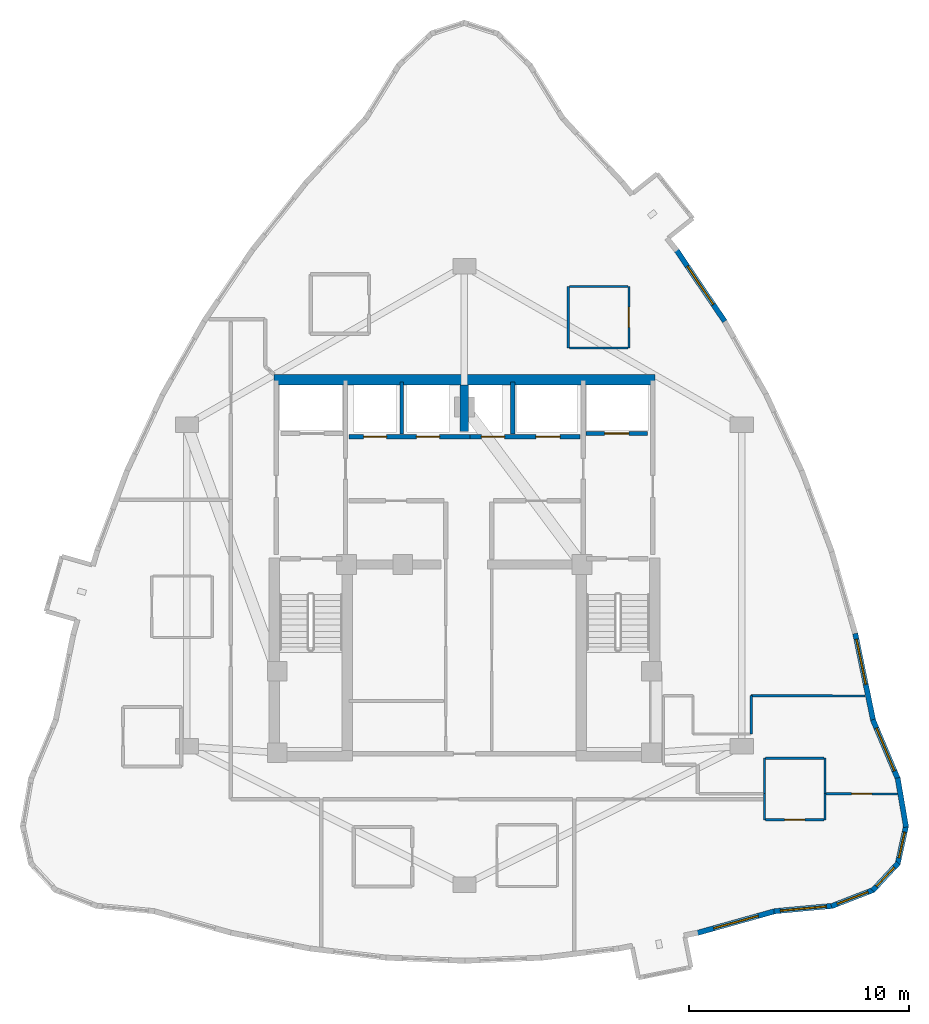
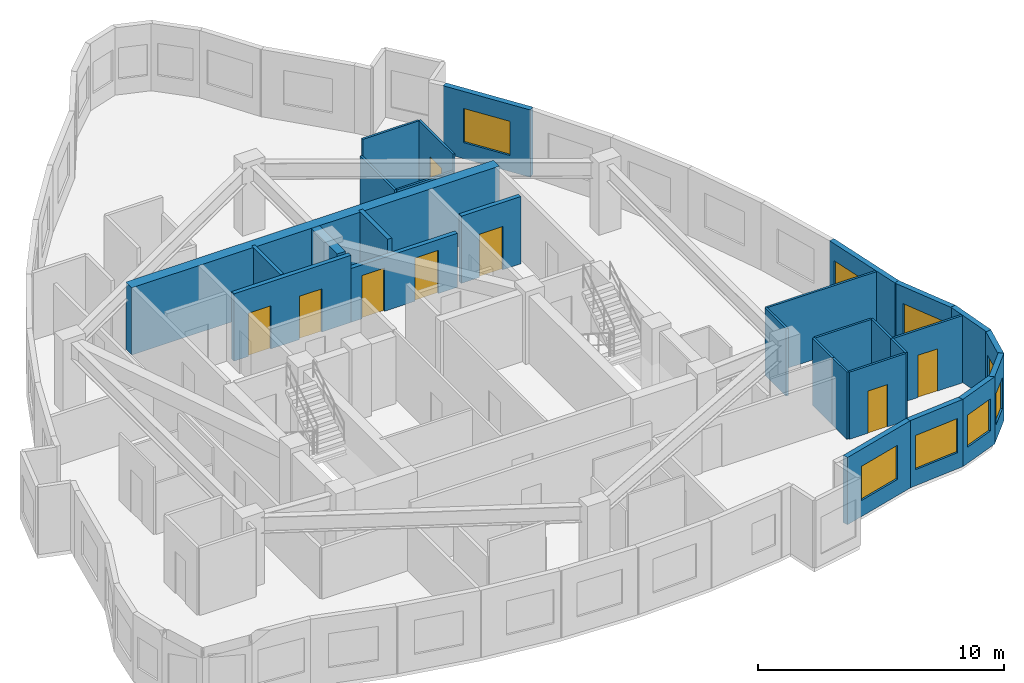
# One storey, part 6 of 8: 29 walls, 8 doors, 8 windows, 16 openings.
"""IFC4 building model written with IfcOpenShell, lengths in metres."""

from ifc_helpers import new_model, si_unit, direction, frame, frame_2d, origin, place, context, subcontext, project, spatial, rectangle, extrude, material, layer, layer_set, type_object, element, fill, save


model = new_model("IFC4")

# Units and contexts
model_context = context("Model", 3, precision=1e-05, world=origin(), true_north=direction((0.0, 1.0)))
body_context = subcontext(model_context, "Body", "Model", "MODEL_VIEW")
ifc_project = project(units=[si_unit("LENGTHUNIT", "METRE"), si_unit("AREAUNIT", "SQUARE_METRE"), si_unit("VOLUMEUNIT", "CUBIC_METRE"), si_unit("PLANEANGLEUNIT", "RADIAN"), si_unit("MASSUNIT", "GRAM", prefix="KILO")], contexts=[model_context])

# Site, building, storey
site_placement = place(None, origin())
site = spatial("IfcSite", under=ifc_project, at=site_placement, CompositionType="ELEMENT")
building_placement = place(site_placement, origin())
building = spatial("IfcBuilding", under=site, at=building_placement, Name="Miruveldt Soraemaru", CompositionType="ELEMENT")
storey_placement = place(building_placement, frame((0.0, 0.0, 208.800048828125)))
storey = spatial("IfcBuildingStorey", under=building, at=storey_placement, Name="L57", CompositionType="ELEMENT", Elevation=208.800048828125)

# Walls
ifc_material_1 = material(Name="Concrete C70/85 (70 MPa)", Category="concrete")
ifc_layer_1 = layer(ifc_material_1, 0.5, Name="Concrete C70/85 (70 MPa)", Category="concrete")
ifc_layer_set_1 = layer_set([ifc_layer_1], Name="Concrete C70/85 (70 MPa)")
wall_type_1 = type_object("IfcWallType", Name="WALL-BW-500", PredefinedType="SHEAR", material=ifc_layer_set_1)
wall_1_placement = place(storey_placement, frame((44.0, 50.10009765625, 0.0), z_axis=(0.0, 0.0, 1.0), x_axis=(0.0, 1.0, 0.0)))
element("IfcWall", 1, at=wall_1_placement, inside=storey, type_object=wall_type_1, Name="L57 Core Buttress Shear Wall BN", PredefinedType="SHEAR", context=body_context, shape_type="SweptSolid", body=[
    extrude(rectangle(XDim=2.099853515625, YDim=0.39990234375, at=frame_2d((1.0498046875, 0.0))), origin(), (0.0, 0.0, 1.0), 3.344970703125),
])
ifc_material_2 = material(Name="Concrete C60/75 (60 MPa)", Category="concrete")
ifc_layer_2 = layer(ifc_material_2, 0.47998046875, Name="Concrete C60/75 (60 MPa)", Category="concrete")
ifc_layer_set_2 = layer_set([ifc_layer_2], Name="Concrete C60/75 (60 MPa)")
wall_type_2 = type_object("IfcWallType", Name="WALL-CW-480", PredefinedType="SHEAR", material=ifc_layer_set_2)
wall_2_placement = place(storey_placement, frame((35.35009765625, 52.449951171875, 0.0), z_axis=(0.0, 0.0, 1.0), x_axis=(1.0, 0.0, 0.0)))
element("IfcWall", 2, at=wall_2_placement, inside=storey, type_object=wall_type_2, Name="L57 Central Core Shear Wall N", PredefinedType="SHEAR", context=body_context, shape_type="SweptSolid", body=[
    extrude(rectangle(XDim=17.2998046875, YDim=0.47998046875, at=frame_2d((8.64990234375, 0.0))), origin(), (0.0, 0.0, 1.0), 3.344970703125),
])

# Wall, opening, window
ifc_material_3 = material(Name="Precast concrete C45/55 (45 MPa)", Category="concrete")
ifc_layer_3 = layer(ifc_material_3, 0.239990234375, Name="Precast concrete C45/55 (45 MPa)", Category="concrete")
ifc_layer_set_3 = layer_set([ifc_layer_3], Name="Precast concrete C45/55 (45 MPa)")
wall_type_3 = type_object("IfcWallType", Name="WALL-EXT-PC240", PredefinedType="SOLIDWALL", material=ifc_layer_set_3)
wall_3_placement = place(storey_placement, frame((54.5400390625, 27.3076171875, 0.0), z_axis=(0.0, 0.0, 1.0), x_axis=(0.962953142371, 0.269668770158, 0.0)))
wall_3 = element("IfcWall", 3, at=wall_3_placement, inside=storey, type_object=wall_type_3, Name="L57 Precast Concrete Facade Wall 28", PredefinedType="SOLIDWALL", context=body_context, shape_type="SweptSolid", body=[
    extrude(rectangle(XDim=3.72998046875, YDim=0.239990234375, at=frame_2d((1.864990234375, 0.0))), origin(), (0.0, 0.0, 1.0), 3.344970703125),
])
opening_1_placement = place(wall_3_placement, frame((0.81494140625, 0.0, 0.800048828125)))
opening_1 = element("IfcOpeningElement", 4, at=opening_1_placement, cuts=wall_3, Name="Opening WN-1", PredefinedType="OPENING", context=body_context, shape_type="SweptSolid", body=[
    extrude(rectangle(XDim=2.10009765625, YDim=1.699951171875, at=frame_2d((1.050048828125, 0.85009765625))), frame((0.0, 0.1298828125, 0.0), z_axis=(0.0, -1.0, 0.0), x_axis=(1.0, 0.0, 0.0)), (0.0, 0.0, 1.0), 0.260009765625),
])
ifc_material_4 = material(Name="Triple low-e insulated glazing", Category="glass")
window_type_1 = type_object("IfcWindowType", Name="WIN-PUNCH-2100x1700", PartitioningType="SINGLE_PANEL", PredefinedType="WINDOW", material=ifc_material_4)
window_1_placement = place(opening_1_placement, origin())
window_1 = element("IfcWindow", 5, at=window_1_placement, inside=storey, type_object=window_type_1, Name="L57 Punched Triple-Glazed Window 28.1", OverallHeight=1.699951171875, OverallWidth=2.10009765625, PartitioningType="SINGLE_PANEL", PredefinedType="WINDOW", context=body_context, shape_type="SweptSolid", body=[
    extrude(rectangle(XDim=2.10009765625, YDim=1.699951171875, at=frame_2d((1.050048828125, 0.85009765625))), frame((0.0, 0.030029296875, 0.0), z_axis=(0.0, -1.0, 0.0), x_axis=(1.0, 0.0, 0.0)), (0.0, 0.0, 1.0), 0.06005859375),
])
fill(opening_1, window_1)

wall_4_placement = place(storey_placement, frame((58.063232421875, 28.30078125, 0.0), z_axis=(0.0, 0.0, 1.0), x_axis=(0.995758874352, 0.092001435582, 0.0)))
wall_4 = element("IfcWall", 6, at=wall_4_placement, inside=storey, type_object=wall_type_3, Name="L57 Precast Concrete Facade Wall 29", PredefinedType="SOLIDWALL", context=body_context, shape_type="SweptSolid", body=[
    extrude(rectangle(XDim=2.688232421875, YDim=0.239990234375, at=frame_2d((1.34423828125, 0.0))), origin(), (0.0, 0.0, 1.0), 3.344970703125),
])
opening_2_placement = place(wall_4_placement, frame((0.2939453125, 0.0, 0.800048828125)))
opening_2 = element("IfcOpeningElement", 7, at=opening_2_placement, cuts=wall_4, Name="Opening WN-1", PredefinedType="OPENING", context=body_context, shape_type="SweptSolid", body=[
    extrude(rectangle(XDim=2.10009765625, YDim=1.699951171875, at=frame_2d((1.050048828125, 0.85009765625))), frame((0.0, 0.1298828125, 0.0), z_axis=(0.0, -1.0, 0.0), x_axis=(1.0, 0.0, 0.0)), (0.0, 0.0, 1.0), 0.260009765625),
])
window_2_placement = place(opening_2_placement, origin())
window_2 = element("IfcWindow", 8, at=window_2_placement, inside=storey, type_object=window_type_1, Name="L57 Punched Triple-Glazed Window 29.1", OverallHeight=1.699951171875, OverallWidth=2.10009765625, PartitioningType="SINGLE_PANEL", PredefinedType="WINDOW", context=body_context, shape_type="SweptSolid", body=[
    extrude(rectangle(XDim=2.10009765625, YDim=1.699951171875, at=frame_2d((1.050048828125, 0.85009765625))), frame((0.0, 0.030029296875, 0.0), z_axis=(0.0, -1.0, 0.0), x_axis=(1.0, 0.0, 0.0)), (0.0, 0.0, 1.0), 0.06005859375),
])
fill(opening_2, window_2)

wall_5_placement = place(storey_placement, frame((60.672607421875, 28.531982421875, 0.0), z_axis=(0.0, 0.0, 1.0), x_axis=(0.932239398697, 0.361842097493, 0.0)))
wall_5 = element("IfcWall", 9, at=wall_5_placement, inside=storey, type_object=wall_type_3, Name="L57 Precast Concrete Facade Wall 30", PredefinedType="SOLIDWALL", context=body_context, shape_type="SweptSolid", body=[
    extrude(rectangle(XDim=2.0673828125, YDim=0.239990234375, at=frame_2d((1.03369140625, 0.0))), origin(), (0.0, 0.0, 1.0), 3.344970703125),
])
opening_3_placement = place(wall_5_placement, frame((0.283935546875, 0.0, 0.800048828125)))
opening_3 = element("IfcOpeningElement", 10, at=opening_3_placement, cuts=wall_5, Name="Opening WN-3", PredefinedType="OPENING", context=body_context, shape_type="SweptSolid", body=[
    extrude(rectangle(XDim=1.5, YDim=1.60009765625, at=frame_2d((0.75, 0.800048828125))), frame((0.0, 0.1298828125, 0.0), z_axis=(0.0, -1.0, 0.0), x_axis=(1.0, 0.0, 0.0)), (0.0, 0.0, 1.0), 0.260009765625),
])
window_type_2 = type_object("IfcWindowType", Name="WIN-PUNCH-1500x1600", PartitioningType="SINGLE_PANEL", PredefinedType="WINDOW", material=ifc_material_4)
window_3_placement = place(opening_3_placement, origin())
window_3 = element("IfcWindow", 11, at=window_3_placement, inside=storey, type_object=window_type_2, Name="L57 Punched Triple-Glazed Window 30.1", OverallHeight=1.60009765625, OverallWidth=1.5, PartitioningType="SINGLE_PANEL", PredefinedType="WINDOW", context=body_context, shape_type="SweptSolid", body=[
    extrude(rectangle(XDim=1.5, YDim=1.60009765625, at=frame_2d((0.75, 0.800048828125))), frame((0.0, 0.030029296875, 0.0), z_axis=(0.0, -1.0, 0.0), x_axis=(1.0, 0.0, 0.0)), (0.0, 0.0, 1.0), 0.06005859375),
])
fill(opening_3, window_3)

wall_6_placement = place(storey_placement, frame((62.54345703125, 29.24169921875, 0.0), z_axis=(0.0, 0.0, 1.0), x_axis=(0.680166703881, 0.733057470416, 0.0)))
wall_6 = element("IfcWall", 12, at=wall_6_placement, inside=storey, type_object=wall_type_3, Name="L57 Precast Concrete Facade Wall 31", PredefinedType="SOLIDWALL", context=body_context, shape_type="SweptSolid", body=[
    extrude(rectangle(XDim=1.71240234375, YDim=0.239990234375, at=frame_2d((0.856201171875, 0.0))), origin(), (0.0, 0.0, 1.0), 3.344970703125),
])
opening_4_placement = place(wall_6_placement, frame((0.256103515625, 0.0, 0.780029296875)))
opening_4 = element("IfcOpeningElement", 13, at=opening_4_placement, cuts=wall_6, Name="Opening WN-4", PredefinedType="OPENING", context=body_context, shape_type="SweptSolid", body=[
    extrude(rectangle(XDim=1.199951171875, YDim=1.550048828125, at=frame_2d((0.60009765625, 0.77490234375))), frame((0.0, 0.1298828125, 0.0), z_axis=(0.0, -1.0, 0.0), x_axis=(1.0, 0.0, 0.0)), (0.0, 0.0, 1.0), 0.260009765625),
])
window_type_3 = type_object("IfcWindowType", Name="WIN-PUNCH-1200x1550", PartitioningType="SINGLE_PANEL", PredefinedType="WINDOW", material=ifc_material_4)
window_4_placement = place(opening_4_placement, origin())
window_4 = element("IfcWindow", 14, at=window_4_placement, inside=storey, type_object=window_type_3, Name="L57 Punched Triple-Glazed Window 31.1", OverallHeight=1.550048828125, OverallWidth=1.199951171875, PartitioningType="SINGLE_PANEL", PredefinedType="WINDOW", context=body_context, shape_type="SweptSolid", body=[
    extrude(rectangle(XDim=1.199951171875, YDim=1.550048828125, at=frame_2d((0.60009765625, 0.77490234375))), frame((0.0, 0.030029296875, 0.0), z_axis=(0.0, -1.0, 0.0), x_axis=(1.0, 0.0, 0.0)), (0.0, 0.0, 1.0), 0.06005859375),
])
fill(opening_4, window_4)

wall_7_placement = place(storey_placement, frame((63.677001953125, 30.437255859375, 0.0), z_axis=(0.0, 0.0, 1.0), x_axis=(0.21567837117, 0.976464459266, 0.0)))
wall_7 = element("IfcWall", 15, at=wall_7_placement, inside=storey, type_object=wall_type_3, Name="L57 Precast Concrete Facade Wall 32", PredefinedType="SOLIDWALL", context=body_context, shape_type="SweptSolid", body=[
    extrude(rectangle(XDim=1.79638671875, YDim=0.239990234375, at=frame_2d((0.898193359375, 0.0))), origin(), (0.0, 0.0, 1.0), 3.344970703125),
])
opening_5_placement = place(wall_7_placement, frame((0.298095703125, 0.0, 0.780029296875)))
opening_5 = element("IfcOpeningElement", 16, at=opening_5_placement, cuts=wall_7, Name="Opening WN-4", PredefinedType="OPENING", context=body_context, shape_type="SweptSolid", body=[
    extrude(rectangle(XDim=1.199951171875, YDim=1.550048828125, at=frame_2d((0.60009765625, 0.77490234375))), frame((0.0, 0.1298828125, 0.0), z_axis=(0.0, -1.0, 0.0), x_axis=(1.0, 0.0, 0.0)), (0.0, 0.0, 1.0), 0.260009765625),
])
window_5_placement = place(opening_5_placement, origin())
window_5 = element("IfcWindow", 17, at=window_5_placement, inside=storey, type_object=window_type_3, Name="L57 Punched Triple-Glazed Window 32.1", OverallHeight=1.550048828125, OverallWidth=1.199951171875, PartitioningType="SINGLE_PANEL", PredefinedType="WINDOW", context=body_context, shape_type="SweptSolid", body=[
    extrude(rectangle(XDim=1.199951171875, YDim=1.550048828125, at=frame_2d((0.60009765625, 0.77490234375))), frame((0.0, 0.030029296875, 0.0), z_axis=(0.0, -1.0, 0.0), x_axis=(1.0, 0.0, 0.0)), (0.0, 0.0, 1.0), 0.06005859375),
])
fill(opening_5, window_5)

# Wall
wall_8_placement = place(storey_placement, frame((64.062744140625, 32.12255859375, 0.0), z_axis=(0.0, 0.0, 1.0), x_axis=(-0.16924751517, 0.985573578486, 0.0)))
element("IfcWall", 18, at=wall_8_placement, inside=storey, type_object=wall_type_3, Name="L57 Precast Concrete Facade Wall 33", PredefinedType="SOLIDWALL", context=body_context, shape_type="SweptSolid", body=[
    extrude(rectangle(XDim=2.26904296875, YDim=0.239990234375, at=frame_2d((1.134521484375, 0.0))), origin(), (0.0, 0.0, 1.0), 3.344970703125),
])

# Wall, opening, window
wall_9_placement = place(storey_placement, frame((63.697998046875, 34.292236328125, 0.0), z_axis=(0.0, 0.0, 1.0), x_axis=(-0.388579536892, 0.921415185196, 0.0)))
wall_9 = element("IfcWall", 19, at=wall_9_placement, inside=storey, type_object=wall_type_3, Name="L57 Precast Concrete Facade Wall 34", PredefinedType="SOLIDWALL", context=body_context, shape_type="SweptSolid", body=[
    extrude(rectangle(XDim=2.94482421875, YDim=0.239990234375, at=frame_2d((1.472412109375, 0.0))), origin(), (0.0, 0.0, 1.0), 3.344970703125),
])
opening_6_placement = place(wall_9_placement, frame((0.423095703125, 0.0, 0.800048828125)))
opening_6 = element("IfcOpeningElement", 20, at=opening_6_placement, cuts=wall_9, Name="Opening WN-1", PredefinedType="OPENING", context=body_context, shape_type="SweptSolid", body=[
    extrude(rectangle(XDim=2.10009765625, YDim=1.699951171875, at=frame_2d((1.050048828125, 0.85009765625))), frame((0.0, 0.1298828125, 0.0), z_axis=(0.0, -1.0, 0.0), x_axis=(1.0, 0.0, 0.0)), (0.0, 0.0, 1.0), 0.260009765625),
])
window_6_placement = place(opening_6_placement, origin())
window_6 = element("IfcWindow", 21, at=window_6_placement, inside=storey, type_object=window_type_1, Name="L57 Punched Triple-Glazed Window 34.1", OverallHeight=1.699951171875, OverallWidth=2.10009765625, PartitioningType="SINGLE_PANEL", PredefinedType="WINDOW", context=body_context, shape_type="SweptSolid", body=[
    extrude(rectangle(XDim=2.10009765625, YDim=1.699951171875, at=frame_2d((1.050048828125, 0.85009765625))), frame((0.0, 0.030029296875, 0.0), z_axis=(0.0, -1.0, 0.0), x_axis=(1.0, 0.0, 0.0)), (0.0, 0.0, 1.0), 0.06005859375),
])
fill(opening_6, window_6)

wall_10_placement = place(storey_placement, frame((62.57421875, 36.939208984375, 0.0), z_axis=(0.0, 0.0, 1.0), x_axis=(-0.201542745203, 0.979479719982, 0.0)))
wall_10 = element("IfcWall", 22, at=wall_10_placement, inside=storey, type_object=wall_type_3, Name="L57 Precast Concrete Facade Wall 35", PredefinedType="SOLIDWALL", context=body_context, shape_type="SweptSolid", body=[
    extrude(rectangle(XDim=4.064208984375, YDim=0.239990234375, at=frame_2d((2.0322265625, 0.0))), origin(), (0.0, 0.0, 1.0), 3.344970703125),
])
opening_7_placement = place(wall_10_placement, frame((1.699951171875, 0.0, 0.800048828125)))
opening_7 = element("IfcOpeningElement", 23, at=opening_7_placement, cuts=wall_10, Name="Opening WN-1", PredefinedType="OPENING", context=body_context, shape_type="SweptSolid", body=[
    extrude(rectangle(XDim=2.10009765625, YDim=1.699951171875, at=frame_2d((1.050048828125, 0.85009765625))), frame((0.0, 0.1298828125, 0.0), z_axis=(0.0, -1.0, 0.0), x_axis=(1.0, 0.0, 0.0)), (0.0, 0.0, 1.0), 0.260009765625),
])
window_7_placement = place(opening_7_placement, origin())
window_7 = element("IfcWindow", 24, at=window_7_placement, inside=storey, type_object=window_type_1, Name="L57 Punched Triple-Glazed Window 35.1", OverallHeight=1.699951171875, OverallWidth=2.10009765625, PartitioningType="SINGLE_PANEL", PredefinedType="WINDOW", context=body_context, shape_type="SweptSolid", body=[
    extrude(rectangle(XDim=2.10009765625, YDim=1.699951171875, at=frame_2d((1.050048828125, 0.85009765625))), frame((0.0, 0.030029296875, 0.0), z_axis=(0.0, -1.0, 0.0), x_axis=(1.0, 0.0, 0.0)), (0.0, 0.0, 1.0), 0.06005859375),
])
fill(opening_7, window_7)

wall_11_placement = place(storey_placement, frame((55.82666015625, 55.094970703125, 0.0), z_axis=(0.0, 0.0, 1.0), x_axis=(-0.560813923728, 0.827941871723, 0.0)))
wall_11 = element("IfcWall", 25, at=wall_11_placement, inside=storey, type_object=wall_type_3, Name="L57 Precast Concrete Facade Wall 40", PredefinedType="SOLIDWALL", context=body_context, shape_type="SweptSolid", body=[
    extrude(rectangle(XDim=3.943603515625, YDim=0.239990234375, at=frame_2d((1.9716796875, 0.0))), origin(), (0.0, 0.0, 1.0), 3.344970703125),
])
opening_8_placement = place(wall_11_placement, frame((0.922119140625, 0.0, 0.800048828125)))
opening_8 = element("IfcOpeningElement", 26, at=opening_8_placement, cuts=wall_11, Name="Opening WN-1", PredefinedType="OPENING", context=body_context, shape_type="SweptSolid", body=[
    extrude(rectangle(XDim=2.10009765625, YDim=1.699951171875, at=frame_2d((1.050048828125, 0.85009765625))), frame((0.0, 0.1298828125, 0.0), z_axis=(0.0, -1.0, 0.0), x_axis=(1.0, 0.0, 0.0)), (0.0, 0.0, 1.0), 0.260009765625),
])
window_8_placement = place(opening_8_placement, origin())
window_8 = element("IfcWindow", 27, at=window_8_placement, inside=storey, type_object=window_type_1, Name="L57 Punched Triple-Glazed Window 40.1", OverallHeight=1.699951171875, OverallWidth=2.10009765625, PartitioningType="SINGLE_PANEL", PredefinedType="WINDOW", context=body_context, shape_type="SweptSolid", body=[
    extrude(rectangle(XDim=2.10009765625, YDim=1.699951171875, at=frame_2d((1.050048828125, 0.85009765625))), frame((0.0, 0.030029296875, 0.0), z_axis=(0.0, -1.0, 0.0), x_axis=(1.0, 0.0, 0.0)), (0.0, 0.0, 1.0), 0.06005859375),
])
fill(opening_8, window_8)

# Wall, opening, door
ifc_material_5 = material(Name="Gypsum plasterboard lining", Category="gypsum")
ifc_layer_4 = layer(ifc_material_5, 0.10009765625, Name="Gypsum plasterboard lining", Category="gypsum")
ifc_layer_set_4 = layer_set([ifc_layer_4], Name="Gypsum plasterboard lining")
wall_type_4 = type_object("IfcWallType", Name="WALL-INT-P100", PredefinedType="PARTITIONING", material=ifc_layer_set_4)
wall_12_placement = place(storey_placement, frame((63.6669921875, 33.631103515625, 0.0), z_axis=(0.0, 0.0, 1.0), x_axis=(-0.999996314036, 0.00271512688, 0.0)))
wall_12 = element("IfcWall", 28, at=wall_12_placement, inside=storey, type_object=wall_type_4, Name="L57 Partition Wall 40", PredefinedType="PARTITIONING", context=body_context, shape_type="SweptSolid", body=[
    extrude(rectangle(XDim=3.237060546875, YDim=0.10009765625, at=frame_2d((1.61865234375, 0.0))), origin(), (0.0, 0.0, 1.0), 3.344970703125),
])
opening_9_placement = place(wall_12_placement, frame((1.158935546875, 0.0, 0.0)))
opening_9 = element("IfcOpeningElement", 29, at=opening_9_placement, cuts=wall_12, Name="Opening D3A", PredefinedType="OPENING", context=body_context, shape_type="SweptSolid", body=[
    extrude(rectangle(XDim=0.919921875, YDim=2.10009765625, at=frame_2d((0.4599609375, 1.050048828125))), frame((0.0, 0.06005859375, 0.0), z_axis=(0.0, -1.0, 0.0), x_axis=(1.0, 0.0, 0.0)), (0.0, 0.0, 1.0), 0.1201171875),
])
ifc_material_6 = material(Name="Anodised aluminium EN AW-6063 T6", Category="aluminium")
door_type_1 = type_object("IfcDoorType", Name="DOOR-INT-920", OperationType="NOTDEFINED", PredefinedType="DOOR", material=ifc_material_6)
door_1_placement = place(opening_9_placement, origin())
door_1 = element("IfcDoor", 30, at=door_1_placement, inside=storey, type_object=door_type_1, Name="L57 Unit 5705 BD1 Door", OperationType="SINGLE_SWING_LEFT", OverallHeight=2.10009765625, OverallWidth=0.919921875, PredefinedType="DOOR", context=body_context, shape_type="SweptSolid", body=[
    extrude(rectangle(XDim=0.919921875, YDim=2.10009765625, at=frame_2d((0.4599609375, 1.050048828125))), frame((0.0, 0.02490234375, 0.0), z_axis=(0.0, -1.0, 0.0), x_axis=(1.0, 0.0, 0.0)), (0.0, 0.0, 1.0), 0.050048828125),
])
fill(opening_9, door_1)

wall_13_placement = place(storey_placement, frame((51.471923828125, 53.8798828125, 0.0), z_axis=(0.0, 0.0, 1.0), x_axis=(0.0, 1.0, 0.0)))
wall_13 = element("IfcWall", 31, at=wall_13_placement, inside=storey, type_object=wall_type_4, Name="L57 Partition Wall 14", PredefinedType="PARTITIONING", context=body_context, shape_type="SweptSolid", body=[
    extrude(rectangle(XDim=2.800048828125, YDim=0.10009765625, at=frame_2d((1.39990234375, 0.0))), origin(), (0.0, 0.0, 1.0), 3.344970703125),
])
opening_10_placement = place(wall_13_placement, frame((0.93994140625, 0.0, 0.0)))
opening_10 = element("IfcOpeningElement", 32, at=opening_10_placement, cuts=wall_13, Name="Opening D3A", PredefinedType="OPENING", context=body_context, shape_type="SweptSolid", body=[
    extrude(rectangle(XDim=0.919921875, YDim=2.10009765625, at=frame_2d((0.4599609375, 1.050048828125))), frame((0.0, 0.06005859375, 0.0), z_axis=(0.0, -1.0, 0.0), x_axis=(1.0, 0.0, 0.0)), (0.0, 0.0, 1.0), 0.1201171875),
])
door_2_placement = place(opening_10_placement, origin())
door_2 = element("IfcDoor", 33, at=door_2_placement, inside=storey, type_object=door_type_1, Name="L57 Unit CL01 KIT Door", OperationType="SINGLE_SWING_RIGHT", OverallHeight=2.10009765625, OverallWidth=0.919921875, PredefinedType="DOOR", context=body_context, shape_type="SweptSolid", body=[
    extrude(rectangle(XDim=0.919921875, YDim=2.10009765625, at=frame_2d((0.4599609375, 1.050048828125))), frame((0.0, 0.02490234375, 0.0), z_axis=(0.0, -1.0, 0.0), x_axis=(1.0, 0.0, 0.0)), (0.0, 0.0, 1.0), 0.050048828125),
])
fill(opening_10, door_2)

wall_14_placement = place(storey_placement, frame((57.679931640625, 32.455078125, 0.0), z_axis=(0.0, 0.0, 1.0), x_axis=(1.0, 0.0, 0.0)))
wall_14 = element("IfcWall", 34, at=wall_14_placement, inside=storey, type_object=wall_type_4, Name="L57 Partition Wall 39", PredefinedType="PARTITIONING", context=body_context, shape_type="SweptSolid", body=[
    extrude(rectangle(XDim=2.650146484375, YDim=0.10009765625, at=frame_2d((1.3251953125, 0.0))), origin(), (0.0, 0.0, 1.0), 3.344970703125),
])
opening_11_placement = place(wall_14_placement, frame((0.864990234375, 0.0, 0.0)))
opening_11 = element("IfcOpeningElement", 35, at=opening_11_placement, cuts=wall_14, Name="Opening D3A", PredefinedType="OPENING", context=body_context, shape_type="SweptSolid", body=[
    extrude(rectangle(XDim=0.919921875, YDim=2.10009765625, at=frame_2d((0.4599609375, 1.050048828125))), frame((0.0, 0.06005859375, 0.0), z_axis=(0.0, -1.0, 0.0), x_axis=(1.0, 0.0, 0.0)), (0.0, 0.0, 1.0), 0.1201171875),
])
door_3_placement = place(opening_11_placement, origin())
door_3 = element("IfcDoor", 36, at=door_3_placement, inside=storey, type_object=door_type_1, Name="L57 Unit 5705 KIT Door", OperationType="SINGLE_SWING_RIGHT", OverallHeight=2.10009765625, OverallWidth=0.919921875, PredefinedType="DOOR", context=body_context, shape_type="SweptSolid", body=[
    extrude(rectangle(XDim=0.919921875, YDim=2.10009765625, at=frame_2d((0.4599609375, 1.050048828125))), frame((0.0, 0.02490234375, 0.0), z_axis=(0.0, -1.0, 0.0), x_axis=(1.0, 0.0, 0.0)), (0.0, 0.0, 1.0), 0.050048828125),
])
fill(opening_11, door_3)

# Walls
wall_15_placement = place(storey_placement, frame((57.030029296875, 38.093994140625, 0.0), z_axis=(0.0, 0.0, 1.0), x_axis=(0.999997742948, -0.002124641097, 0.0)))
element("IfcWall", 37, at=wall_15_placement, inside=storey, type_object=wall_type_4, Name="L57 Partition Wall 50", PredefinedType="PARTITIONING", context=body_context, shape_type="SweptSolid", body=[
    extrude(rectangle(XDim=5.1708984375, YDim=0.10009765625, at=frame_2d((2.58544921875, 0.0))), origin(), (0.0, 0.0, 1.0), 3.344970703125),
])
wall_16_placement = place(storey_placement, frame((48.721923828125, 56.679931640625, 0.0), z_axis=(0.0, 0.0, 1.0), x_axis=(0.0, -1.0, 0.0)))
element("IfcWall", 38, at=wall_16_placement, inside=storey, type_object=wall_type_4, Name="L57 Partition Wall 16", PredefinedType="PARTITIONING", context=body_context, shape_type="SweptSolid", body=[
    extrude(rectangle(XDim=2.800048828125, YDim=0.10009765625, at=frame_2d((1.39990234375, 0.0))), origin(), (0.0, 0.0, 1.0), 2.532958984375),
])
wall_17_placement = place(storey_placement, frame((51.422119140625, 56.679931640625, 0.0), z_axis=(0.0, 0.0, 1.0), x_axis=(-1.0, 0.0, 0.0)))
element("IfcWall", 39, at=wall_17_placement, inside=storey, type_object=wall_type_4, Name="L57 Partition Wall 15", PredefinedType="PARTITIONING", context=body_context, shape_type="SweptSolid", body=[
    extrude(rectangle(XDim=2.650146484375, YDim=0.10009765625, at=frame_2d((1.3251953125, 0.0))), origin(), (0.0, 0.0, 1.0), 3.344970703125),
])
wall_18_placement = place(storey_placement, frame((48.77197265625, 53.8798828125, 0.0), z_axis=(0.0, 0.0, 1.0), x_axis=(1.0, 0.0, 0.0)))
element("IfcWall", 40, at=wall_18_placement, inside=storey, type_object=wall_type_4, Name="L57 Partition Wall 17", PredefinedType="PARTITIONING", context=body_context, shape_type="SweptSolid", body=[
    extrude(rectangle(XDim=2.650146484375, YDim=0.10009765625, at=frame_2d((1.3251953125, 0.0))), origin(), (0.0, 0.0, 1.0), 2.532958984375),
])
wall_19_placement = place(storey_placement, frame((60.330078125, 35.2548828125, 0.0), z_axis=(0.0, 0.0, 1.0), x_axis=(-1.0, 0.0, 0.0)))
element("IfcWall", 41, at=wall_19_placement, inside=storey, type_object=wall_type_4, Name="L57 Partition Wall 43", PredefinedType="PARTITIONING", context=body_context, shape_type="SweptSolid", body=[
    extrude(rectangle(XDim=2.650146484375, YDim=0.10009765625, at=frame_2d((1.3251953125, 0.0))), origin(), (0.0, 0.0, 1.0), 3.344970703125),
])
wall_20_placement = place(storey_placement, frame((57.030029296875, 36.35498046875, 0.0), z_axis=(0.0, 0.0, 1.0), x_axis=(0.0, 1.0, 0.0)))
element("IfcWall", 42, at=wall_20_placement, inside=storey, type_object=wall_type_4, Name="L57 Partition Wall 49", PredefinedType="PARTITIONING", context=body_context, shape_type="SweptSolid", body=[
    extrude(rectangle(XDim=1.739013671875, YDim=0.10009765625, at=frame_2d((0.86962890625, 0.0))), origin(), (0.0, 0.0, 1.0), 3.344970703125),
])
for number, where, z_axis, x_axis, name in (
    (43, (60.3798828125, 33.639892578125, 0.0), (0.0, 0.0, 1.0), (0.0, 1.0, 0.0), "L57 Partition Wall 42"),
    (44, (57.6298828125, 35.2548828125, 0.0), (0.0, 0.0, 1.0), (0.0, -1.0, 0.0), "L57 Partition Wall 44"),
):
    element("IfcWall", number, at=place(storey_placement, frame(where, z_axis=z_axis, x_axis=x_axis)), inside=storey, type_object=wall_type_4, Name=name, PredefinedType="PARTITIONING", context=body_context, shape_type="SweptSolid", body=[
        extrude(rectangle(XDim=1.614990234375, YDim=0.10009765625, at=frame_2d((0.8076171875, 0.0))), origin(), (0.0, 0.0, 1.0), 3.344970703125),
    ])
for number, where, z_axis, x_axis, name in (
    (45, (60.3798828125, 32.455078125, 0.0), (0.0, 0.0, 1.0), (0.0, 1.0, 0.0), "L57 Partition Wall 37"),
    (46, (57.6298828125, 33.639892578125, 0.0), (0.0, 0.0, 1.0), (0.0, -1.0, 0.0), "L57 Partition Wall 38"),
):
    element("IfcWall", number, at=place(storey_placement, frame(where, z_axis=z_axis, x_axis=x_axis)), inside=storey, type_object=wall_type_4, Name=name, PredefinedType="PARTITIONING", context=body_context, shape_type="SweptSolid", body=[
        extrude(rectangle(XDim=1.184814453125, YDim=0.10009765625, at=frame_2d((0.59228515625, 0.0))), origin(), (0.0, 0.0, 1.0), 3.344970703125),
    ])
ifc_material_7 = material(Name="Concrete C40/50 (40 MPa)", Category="concrete")
ifc_layer_5 = layer(ifc_material_7, 0.159912109375, Name="Concrete C40/50 (40 MPa)", Category="concrete")
ifc_layer_set_5 = layer_set([ifc_layer_5], Name="Concrete C40/50 (40 MPa)")
wall_type_5 = type_object("IfcWallType", Name="WALL-INT-RC160", PredefinedType="SOLIDWALL", material=ifc_layer_set_5)
wall_21_placement = place(storey_placement, frame((41.14990234375, 49.97998046875, 0.0), z_axis=(0.0, 0.0, 1.0), x_axis=(0.0, 1.0, 0.0)))
element("IfcWall", 47, at=wall_21_placement, inside=storey, type_object=wall_type_5, Name="L57 Core Compartment Wall PLH-DIV1", PredefinedType="SOLIDWALL", context=body_context, shape_type="SweptSolid", body=[
    extrude(rectangle(XDim=2.3701171875, YDim=0.159912109375, at=frame_2d((1.18505859375, 0.0))), origin(), (0.0, 0.0, 1.0), 3.344970703125),
])

# Wall, openings, doors
ifc_layer_6 = layer(ifc_material_7, 0.199951171875, Name="Concrete C40/50 (40 MPa)", Category="concrete")
ifc_layer_set_6 = layer_set([ifc_layer_6], Name="Concrete C40/50 (40 MPa)")
wall_type_6 = type_object("IfcWallType", Name="WALL-INT-RC200", PredefinedType="SOLIDWALL", material=ifc_layer_set_6)
wall_22_placement = place(storey_placement, frame((38.75, 49.85009765625, 0.0), z_axis=(0.0, 0.0, 1.0), x_axis=(1.0, 0.0, 0.0)))
wall_22 = element("IfcWall", 48, at=wall_22_placement, inside=storey, type_object=wall_type_6, Name="L57 Core Compartment Wall ROWA-SW", PredefinedType="SOLIDWALL", context=body_context, shape_type="SweptSolid", body=[
    extrude(rectangle(XDim=5.5, YDim=0.199951171875, at=frame_2d((2.75, 0.0))), origin(), (0.0, 0.0, 1.0), 3.344970703125),
])
opening_12_placement = place(wall_22_placement, frame((0.675048828125, 0.0, 0.0)))
opening_12 = element("IfcOpeningElement", 49, at=opening_12_placement, cuts=wall_22, Name="Opening LD1", PredefinedType="OPENING", context=body_context, shape_type="SweptSolid", body=[
    extrude(rectangle(XDim=1.050048828125, YDim=2.14990234375, at=frame_2d((0.52490234375, 1.074951171875))), frame((0.0, 0.10986328125, 0.0), z_axis=(0.0, -1.0, 0.0), x_axis=(1.0, 0.0, 0.0)), (0.0, 0.0, 1.0), 0.219970703125),
])
opening_13_placement = place(wall_22_placement, frame((3.074951171875, 0.0, 0.0)))
opening_13 = element("IfcOpeningElement", 50, at=opening_13_placement, cuts=wall_22, Name="Opening LD1", PredefinedType="OPENING", context=body_context, shape_type="SweptSolid", body=[
    extrude(rectangle(XDim=1.050048828125, YDim=2.14990234375, at=frame_2d((0.52490234375, 1.074951171875))), frame((0.0, 0.10986328125, 0.0), z_axis=(0.0, -1.0, 0.0), x_axis=(1.0, 0.0, 0.0)), (0.0, 0.0, 1.0), 0.219970703125),
])
door_type_2 = type_object("IfcDoorType", Name="DOOR-LD1-1050", OperationType="SLIDING_TO_LEFT", PredefinedType="DOOR", material=ifc_material_6)
door_4_placement = place(opening_12_placement, origin())
door_4 = element("IfcDoor", 51, at=door_4_placement, inside=storey, type_object=door_type_2, Name="L57 PL-H1 Landing Door", OperationType="SLIDING_TO_LEFT", OverallHeight=2.14990234375, OverallWidth=1.050048828125, PredefinedType="DOOR", context=body_context, shape_type="SweptSolid", body=[
    extrude(rectangle(XDim=1.050048828125, YDim=2.14990234375, at=frame_2d((0.52490234375, 1.074951171875))), frame((0.0, 0.02490234375, 0.0), z_axis=(0.0, -1.0, 0.0), x_axis=(1.0, 0.0, 0.0)), (0.0, 0.0, 1.0), 0.050048828125),
])
fill(opening_12, door_4)
door_5_placement = place(opening_13_placement, origin())
door_5 = element("IfcDoor", 52, at=door_5_placement, inside=storey, type_object=door_type_2, Name="L57 PL-H2 Landing Door", OperationType="SLIDING_TO_LEFT", OverallHeight=2.14990234375, OverallWidth=1.050048828125, PredefinedType="DOOR", context=body_context, shape_type="SweptSolid", body=[
    extrude(rectangle(XDim=1.050048828125, YDim=2.14990234375, at=frame_2d((0.52490234375, 1.074951171875))), frame((0.0, 0.02490234375, 0.0), z_axis=(0.0, -1.0, 0.0), x_axis=(1.0, 0.0, 0.0)), (0.0, 0.0, 1.0), 0.050048828125),
])
fill(opening_13, door_5)

wall_23_placement = place(storey_placement, frame((44.25, 49.85009765625, 0.0), z_axis=(0.0, 0.0, 1.0), x_axis=(1.0, 0.0, 0.0)))
wall_23 = element("IfcWall", 53, at=wall_23_placement, inside=storey, type_object=wall_type_6, Name="L57 Core Compartment Wall ROWA-SE", PredefinedType="SOLIDWALL", context=body_context, shape_type="SweptSolid", body=[
    extrude(rectangle(XDim=5.0, YDim=0.199951171875, at=frame_2d((2.5, 0.0))), origin(), (0.0, 0.0, 1.0), 2.682861328125),
])
opening_14_placement = place(wall_23_placement, frame((0.52490234375, 0.0, 0.0)))
opening_14 = element("IfcOpeningElement", 54, at=opening_14_placement, cuts=wall_23, Name="Opening LD1", PredefinedType="OPENING", context=body_context, shape_type="SweptSolid", body=[
    extrude(rectangle(XDim=1.050048828125, YDim=2.14990234375, at=frame_2d((0.52490234375, 1.074951171875))), frame((0.0, 0.10986328125, 0.0), z_axis=(0.0, -1.0, 0.0), x_axis=(1.0, 0.0, 0.0)), (0.0, 0.0, 1.0), 0.219970703125),
])
opening_15_placement = place(wall_23_placement, frame((3.0, 0.0, 0.0)))
opening_15 = element("IfcOpeningElement", 55, at=opening_15_placement, cuts=wall_23, Name="Opening LD2", PredefinedType="OPENING", context=body_context, shape_type="SweptSolid", body=[
    extrude(rectangle(XDim=1.10009765625, YDim=2.14990234375, at=frame_2d((0.550048828125, 1.074951171875))), frame((0.0, 0.10986328125, 0.0), z_axis=(0.0, -1.0, 0.0), x_axis=(1.0, 0.0, 0.0)), (0.0, 0.0, 1.0), 0.219970703125),
])
door_6_placement = place(opening_14_placement, origin())
door_6 = element("IfcDoor", 56, at=door_6_placement, inside=storey, type_object=door_type_2, Name="L57 PL-H3 Landing Door", OperationType="SLIDING_TO_LEFT", OverallHeight=2.14990234375, OverallWidth=1.050048828125, PredefinedType="DOOR", context=body_context, shape_type="SweptSolid", body=[
    extrude(rectangle(XDim=1.050048828125, YDim=2.14990234375, at=frame_2d((0.52490234375, 1.074951171875))), frame((0.0, 0.02490234375, 0.0), z_axis=(0.0, -1.0, 0.0), x_axis=(1.0, 0.0, 0.0)), (0.0, 0.0, 1.0), 0.050048828125),
])
fill(opening_14, door_6)
door_type_3 = type_object("IfcDoorType", Name="DOOR-LD2-1100", OperationType="SLIDING_TO_LEFT", PredefinedType="DOOR", material=ifc_material_6)
door_7_placement = place(opening_15_placement, origin())
door_7 = element("IfcDoor", 57, at=door_7_placement, inside=storey, type_object=door_type_3, Name="L57 SL-1 Landing Door", OperationType="SLIDING_TO_LEFT", OverallHeight=2.14990234375, OverallWidth=1.10009765625, PredefinedType="DOOR", context=body_context, shape_type="SweptSolid", body=[
    extrude(rectangle(XDim=1.10009765625, YDim=2.14990234375, at=frame_2d((0.550048828125, 1.074951171875))), frame((0.0, 0.02490234375, 0.0), z_axis=(0.0, -1.0, 0.0), x_axis=(1.0, 0.0, 0.0)), (0.0, 0.0, 1.0), 0.050048828125),
])
fill(opening_15, door_7)

# Wall, opening, door
wall_24_placement = place(storey_placement, frame((49.52001953125, 50.0, 0.0), z_axis=(0.0, 0.0, 1.0), x_axis=(1.0, 0.0, 0.0)))
wall_24 = element("IfcWall", 58, at=wall_24_placement, inside=storey, type_object=wall_type_6, Name="L57 Core Compartment Wall FFL2-S", PredefinedType="SOLIDWALL", context=body_context, shape_type="SweptSolid", body=[
    extrude(rectangle(XDim=2.800048828125, YDim=0.199951171875, at=frame_2d((1.39990234375, 0.0))), origin(), (0.0, 0.0, 1.0), 3.344970703125),
])
opening_16_placement = place(wall_24_placement, frame((0.85009765625, 0.0, 0.0)))
opening_16 = element("IfcOpeningElement", 59, at=opening_16_placement, cuts=wall_24, Name="Opening LD2", PredefinedType="OPENING", context=body_context, shape_type="SweptSolid", body=[
    extrude(rectangle(XDim=1.10009765625, YDim=2.14990234375, at=frame_2d((0.550048828125, 1.074951171875))), frame((0.0, 0.10986328125, 0.0), z_axis=(0.0, -1.0, 0.0), x_axis=(1.0, 0.0, 0.0)), (0.0, 0.0, 1.0), 0.219970703125),
])
door_8_placement = place(opening_16_placement, origin())
door_8 = element("IfcDoor", 60, at=door_8_placement, inside=storey, type_object=door_type_3, Name="L57 FFL-2 Landing Door", OperationType="SLIDING_TO_LEFT", OverallHeight=2.14990234375, OverallWidth=1.10009765625, PredefinedType="DOOR", context=body_context, shape_type="SweptSolid", body=[
    extrude(rectangle(XDim=1.10009765625, YDim=2.14990234375, at=frame_2d((0.550048828125, 1.074951171875))), frame((0.0, 0.02490234375, 0.0), z_axis=(0.0, -1.0, 0.0), x_axis=(1.0, 0.0, 0.0)), (0.0, 0.0, 1.0), 0.050048828125),
])
fill(opening_16, door_8)

# Wall
wall_25_placement = place(storey_placement, frame((46.199951171875, 49.97998046875, 0.0), z_axis=(0.0, 0.0, 1.0), x_axis=(0.0, 1.0, 0.0)))
element("IfcWall", 61, at=wall_25_placement, inside=storey, type_object=wall_type_6, Name="L57 Core Compartment Wall PLH-SL-DIV", PredefinedType="SOLIDWALL", context=body_context, shape_type="SweptSolid", body=[
    extrude(rectangle(XDim=2.3701171875, YDim=0.199951171875, at=frame_2d((1.18505859375, 0.0))), origin(), (0.0, 0.0, 1.0), 3.344970703125),
])

save(model, "model.ifc")
